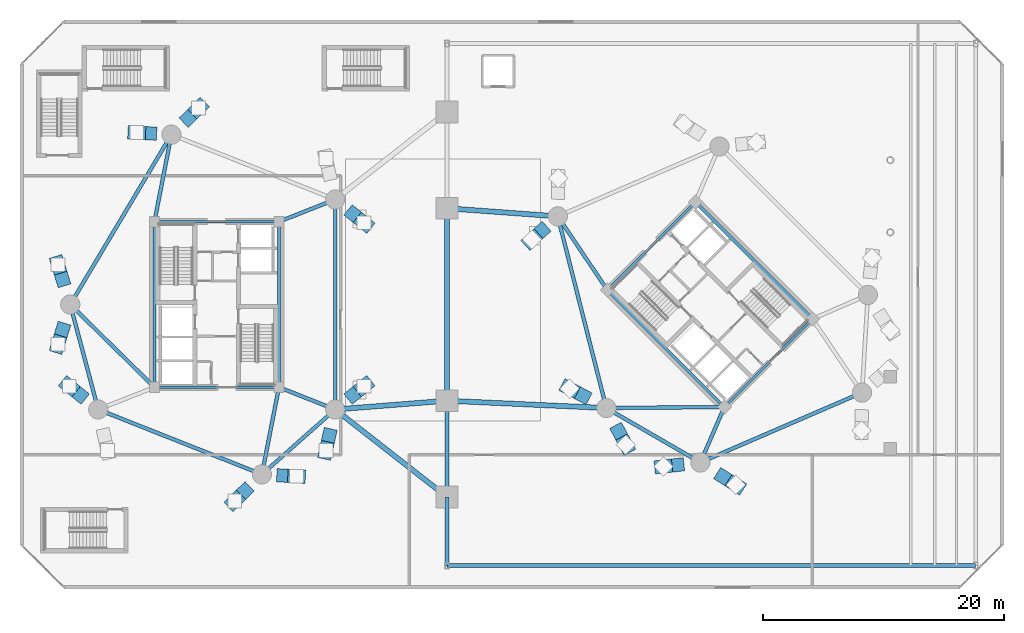
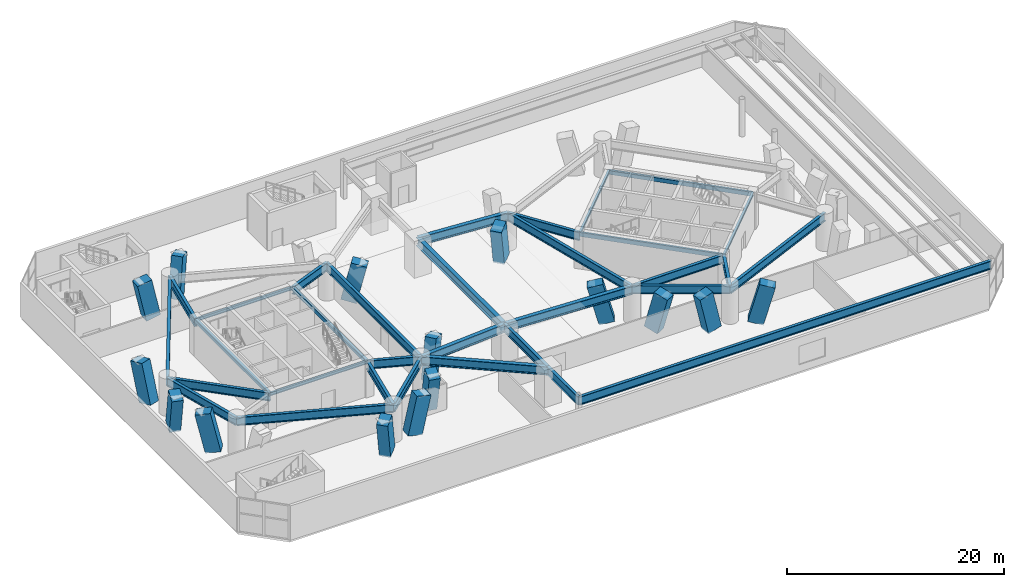
# One storey, part 4 of 20: 32 beams, 15 members.
"""IFC4 building model written with IfcOpenShell, lengths in metres."""

from ifc_helpers import new_model, si_unit, direction, frame, origin, origin_2d, place, context, subcontext, project, spatial, rectangle, hollow_rectangle, i_section, extrude, material, material_profile, profile_set, type_object, element, save


model = new_model("IFC4")

# Units and contexts
model_context = context("Model", 3, precision=1e-05, world=origin(), true_north=direction((0.0, 1.0)))
body_context = subcontext(model_context, "Body", "Model", "MODEL_VIEW")
ifc_project = project(units=[si_unit("LENGTHUNIT", "METRE"), si_unit("AREAUNIT", "SQUARE_METRE"), si_unit("VOLUMEUNIT", "CUBIC_METRE"), si_unit("PLANEANGLEUNIT", "RADIAN"), si_unit("MASSUNIT", "GRAM", prefix="KILO")], contexts=[model_context])

# Site, building, storey
site_placement = place(None, origin())
site = spatial("IfcSite", under=ifc_project, at=site_placement, CompositionType="ELEMENT")
building_placement = place(site_placement, origin())
building = spatial("IfcBuilding", under=site, at=building_placement, Name="Cununo Teusaquillo Station Towers", CompositionType="ELEMENT")
storey_placement = place(building_placement, frame((0.0, 0.0, 9.0)))
storey = spatial("IfcBuildingStorey", under=building, at=storey_placement, Name="L02", CompositionType="ELEMENT", Elevation=9.0)

# Beams
ifc_material_1 = material(Name="Steel EN 10025-2 S355J2", Category="steel")
ifc_material_profile_1 = material_profile(ifc_material_1, hollow_rectangle(XDim=0.25, YDim=0.449951171875, WallThickness=0.01611328125, at=origin_2d()), Name="RHS 450x250x16")
ifc_profile_set_1 = profile_set([ifc_material_profile_1], Name="Steel EN 10025-2 S355J2")
beam_type_1 = type_object("IfcBeamType", Name="BM-COUP-1", PredefinedType="USERDEFINED", material=ifc_profile_set_1)
for number, where, z_axis, x_axis, name in (
    (1, (11.324951171875, 17.6201171875, 3.675048828125), (0.0, 1.0, 0.0), (-1.0, 0.0, 0.0), "L02 Tower A Core Beam 1"),
    (2, (21.675048828125, 17.6201171875, 3.675048828125), (0.0, 1.0, 0.0), (-1.0, 0.0, 0.0), "L02 Tower A Core Beam 2"),
):
    element("IfcBeam", number, at=place(storey_placement, frame(where, z_axis=z_axis, x_axis=x_axis)), inside=storey, type_object=beam_type_1, Name=name, ObjectType="COUPLING BEAM", PredefinedType="USERDEFINED", context=body_context, shape_type="SweptSolid", body=[
        extrude(hollow_rectangle(XDim=0.25, YDim=0.449951171875, WallThickness=0.01611328125, at=origin_2d()), origin(), (0.0, 0.0, 1.0), 13.759765625),
    ])
for number, where, z_axis, x_axis, name in (
    (3, (58.70556640625, 15.975830078125, 3.675048828125), (-0.707106781187, 0.707106781187, 0.0), (-0.707106781187, -0.707106781187, 0.0), "L02 Tower B Core Beam 1"),
    (4, (66.024169921875, 23.29443359375, 3.675048828125), (-0.707106781187, 0.707106781187, 0.0), (-0.707106781187, -0.707106781187, 0.0), "L02 Tower B Core Beam 2"),
):
    element("IfcBeam", number, at=place(storey_placement, frame(where, z_axis=z_axis, x_axis=x_axis)), inside=storey, type_object=beam_type_1, Name=name, ObjectType="COUPLING BEAM", PredefinedType="USERDEFINED", context=body_context, shape_type="SweptSolid", body=[
        extrude(hollow_rectangle(XDim=0.25, YDim=0.449951171875, WallThickness=0.01611328125, at=origin_2d()), origin(), (0.0, 0.0, 1.0), 13.760009765625),
    ])
ifc_material_2 = material(Name="Steel ASTM A572 Grade 50", Category="steel")
ifc_material_profile_2 = material_profile(ifc_material_2, i_section(OverallWidth=0.2041015625, OverallDepth=0.35009765625, WebThickness=0.008544921875, FlangeThickness=0.01513671875, FilletRadius=0.011962890625, at=origin_2d()), Name="W14X48")
ifc_profile_set_2 = profile_set([ifc_material_profile_2], Name="Steel ASTM A572 Grade 50")
beam_type_2 = type_object("IfcBeamType", Name="BM-LINTEL-1", PredefinedType="LINTEL", material=ifc_profile_set_2)
for number, where, z_axis, x_axis, name in (
    (5, (11.324951171875, 17.6201171875, 3.72509765625), (1.0, 0.0, 0.0), (0.0, 1.0, 0.0), "L02 Tower A Core Beam 3"),
    (6, (11.324951171875, 31.3798828125, 3.72509765625), (1.0, 0.0, 0.0), (0.0, 1.0, 0.0), "L02 Tower A Core Beam 4"),
    (7, (58.70556640625, 15.975830078125, 3.72509765625), (0.707106781187, 0.707106781187, 0.0), (-0.707106781187, 0.707106781187, 0.0), "L02 Tower B Core Beam 3"),
    (8, (48.975830078125, 25.70556640625, 3.72509765625), (0.707106781187, 0.707106781187, 0.0), (-0.707106781187, 0.707106781187, 0.0), "L02 Tower B Core Beam 4"),
):
    element("IfcBeam", number, at=place(storey_placement, frame(where, z_axis=z_axis, x_axis=x_axis)), inside=storey, type_object=beam_type_2, Name=name, PredefinedType="LINTEL", context=body_context, shape_type="SweptSolid", body=[
        extrude(i_section(OverallWidth=0.2041015625, OverallDepth=0.35009765625, WebThickness=0.008544921875, FlangeThickness=0.01513671875, FilletRadius=0.011962890625, at=origin_2d()), origin(), (0.0, 0.0, 1.0), 10.35009765625),
    ])
ifc_material_3 = material(Name="Steel ASTM A572 Grade 50", Category="steel")
ifc_material_profile_3 = material_profile(ifc_material_3, i_section(OverallWidth=0.30810546875, OverallDepth=0.943115234375, WebThickness=0.022216796875, FlangeThickness=0.039794921875, FilletRadius=0.02392578125, at=origin_2d()), Name="W36X232")
ifc_profile_set_3 = profile_set([ifc_material_profile_3], Name="Steel ASTM A572 Grade 50")
beam_type_3 = type_object("IfcBeamType", Name="BM-POD-SEC", PredefinedType="BEAM", material=ifc_profile_set_3)
beam_1_placement = place(storey_placement, frame((12.738525390625, 38.623291015625, 3.428466796875), z_axis=(-0.511660099054, -0.859187955593, 0.0), x_axis=(0.859187955593, -0.511660099054, 0.0)))
element("IfcBeam", 9, at=beam_1_placement, inside=storey, type_object=beam_type_3, Name="L02 Tower A Podium Perimeter Girder 2", PredefinedType="BEAM", context=body_context, shape_type="SweptSolid", body=[
    extrude(i_section(OverallWidth=0.30810546875, OverallDepth=0.943115234375, WebThickness=0.022216796875, FlangeThickness=0.039794921875, FilletRadius=0.02392578125, at=origin_2d()), origin(), (0.0, 0.0, 1.0), 16.43798828125),
])
beam_2_placement = place(storey_placement, frame((4.327880859375, 24.5, 3.428466796875), z_axis=(0.257363196347, -0.966314744359, 0.0), x_axis=(0.966314744359, 0.257363196347, 0.0)))
element("IfcBeam", 10, at=beam_2_placement, inside=storey, type_object=beam_type_3, Name="L02 Tower A Podium Perimeter Girder 3", PredefinedType="BEAM", context=body_context, shape_type="SweptSolid", body=[
    extrude(i_section(OverallWidth=0.30810546875, OverallDepth=0.943115234375, WebThickness=0.022216796875, FlangeThickness=0.039794921875, FilletRadius=0.02392578125, at=origin_2d()), origin(), (0.0, 0.0, 1.0), 9.03271484375),
])
beam_3_placement = place(storey_placement, frame((6.652587890625, 15.771484375, 3.428466796875), z_axis=(0.929621249939, -0.368516392664, 0.0), x_axis=(0.368516392664, 0.929621249939, 0.0)))
element("IfcBeam", 11, at=beam_3_placement, inside=storey, type_object=beam_type_3, Name="L02 Tower A Podium Perimeter Girder 4", PredefinedType="BEAM", context=body_context, shape_type="SweptSolid", body=[
    extrude(i_section(OverallWidth=0.30810546875, OverallDepth=0.943115234375, WebThickness=0.022216796875, FlangeThickness=0.039794921875, FilletRadius=0.02392578125, at=origin_2d()), origin(), (0.0, 0.0, 1.0), 14.63916015625),
])
beam_4_placement = place(storey_placement, frame((20.261474609375, 10.376708984375, 3.428466796875), z_axis=(0.74832120039, 0.66333655187, 0.0), x_axis=(-0.66333655187, 0.74832120039, 0.0)))
element("IfcBeam", 12, at=beam_4_placement, inside=storey, type_object=beam_type_3, Name="L02 Tower A Podium Perimeter Girder 5", PredefinedType="BEAM", context=body_context, shape_type="SweptSolid", body=[
    extrude(i_section(OverallWidth=0.30810546875, OverallDepth=0.943115234375, WebThickness=0.022216796875, FlangeThickness=0.039794921875, FilletRadius=0.02392578125, at=origin_2d()), origin(), (0.0, 0.0, 1.0), 8.1328125),
])
beam_5_placement = place(storey_placement, frame((26.347412109375, 15.771484375, 3.428466796875), z_axis=(0.0, 1.0, 0.0), x_axis=(-1.0, 0.0, 0.0)))
element("IfcBeam", 13, at=beam_5_placement, inside=storey, type_object=beam_type_3, Name="L02 Tower A Podium Perimeter Girder 6", PredefinedType="BEAM", context=body_context, shape_type="SweptSolid", body=[
    extrude(i_section(OverallWidth=0.30810546875, OverallDepth=0.943115234375, WebThickness=0.022216796875, FlangeThickness=0.039794921875, FilletRadius=0.02392578125, at=origin_2d()), origin(), (0.0, 0.0, 1.0), 17.45703125),
])
beam_6_placement = place(storey_placement, frame((21.675048828125, 31.3798828125, 3.428466796875), z_axis=(0.929864104313, 0.367903176814, 0.0), x_axis=(-0.367903176814, 0.929864104313, 0.0)))
element("IfcBeam", 14, at=beam_6_placement, inside=storey, type_object=beam_type_3, Name="L02 Tower A Podium Radial Girder 1", PredefinedType="BEAM", context=body_context, shape_type="SweptSolid", body=[
    extrude(i_section(OverallWidth=0.30810546875, OverallDepth=0.943115234375, WebThickness=0.022216796875, FlangeThickness=0.039794921875, FilletRadius=0.02392578125, at=origin_2d()), origin(), (0.0, 0.0, 1.0), 5.02490234375),
])
beam_7_placement = place(storey_placement, frame((11.324951171875, 31.3798828125, 3.428466796875), z_axis=(0.191539895403, 0.981484828446, 0.0), x_axis=(-0.981484828446, 0.191539895403, 0.0)))
element("IfcBeam", 15, at=beam_7_placement, inside=storey, type_object=beam_type_3, Name="L02 Tower A Podium Radial Girder 2", PredefinedType="BEAM", context=body_context, shape_type="SweptSolid", body=[
    extrude(i_section(OverallWidth=0.30810546875, OverallDepth=0.943115234375, WebThickness=0.022216796875, FlangeThickness=0.039794921875, FilletRadius=0.02392578125, at=origin_2d()), origin(), (0.0, 0.0, 1.0), 7.380126953125),
])
beam_8_placement = place(storey_placement, frame((11.324951171875, 17.6201171875, 3.428466796875), z_axis=(-0.713052701438, 0.701110437073, 0.0), x_axis=(-0.701110437073, -0.713052701438, 0.0)))
element("IfcBeam", 16, at=beam_8_placement, inside=storey, type_object=beam_type_3, Name="L02 Tower A Podium Radial Girder 3", PredefinedType="BEAM", context=body_context, shape_type="SweptSolid", body=[
    extrude(i_section(OverallWidth=0.30810546875, OverallDepth=0.943115234375, WebThickness=0.022216796875, FlangeThickness=0.039794921875, FilletRadius=0.02392578125, at=origin_2d()), origin(), (0.0, 0.0, 1.0), 9.812744140625),
])
beam_9_placement = place(storey_placement, frame((21.675048828125, 17.6201171875, 3.428466796875), z_axis=(-0.191539895403, -0.981484828446, 0.0), x_axis=(0.981484828446, -0.191539895403, 0.0)))
element("IfcBeam", 17, at=beam_9_placement, inside=storey, type_object=beam_type_3, Name="L02 Tower A Podium Radial Girder 5", PredefinedType="BEAM", context=body_context, shape_type="SweptSolid", body=[
    extrude(i_section(OverallWidth=0.30810546875, OverallDepth=0.943115234375, WebThickness=0.022216796875, FlangeThickness=0.039794921875, FilletRadius=0.02392578125, at=origin_2d()), origin(), (0.0, 0.0, 1.0), 7.380126953125),
])
beam_10_placement = place(storey_placement, frame((21.675048828125, 17.6201171875, 3.428466796875), z_axis=(0.929864104313, -0.367903176814, 0.0), x_axis=(0.367903176814, 0.929864104313, 0.0)))
element("IfcBeam", 18, at=beam_10_placement, inside=storey, type_object=beam_type_3, Name="L02 Tower A Podium Radial Girder 6", PredefinedType="BEAM", context=body_context, shape_type="SweptSolid", body=[
    extrude(i_section(OverallWidth=0.30810546875, OverallDepth=0.943115234375, WebThickness=0.022216796875, FlangeThickness=0.039794921875, FilletRadius=0.02392578125, at=origin_2d()), origin(), (0.0, 0.0, 1.0), 5.02490234375),
])
beam_11_placement = place(storey_placement, frame((44.853759765625, 31.826904296875, 3.428466796875), z_axis=(0.245731928557, -0.969337825161, 0.0), x_axis=(0.969337825161, 0.245731928557, 0.0)))
element("IfcBeam", 19, at=beam_11_placement, inside=storey, type_object=beam_type_3, Name="L02 Tower B Podium Perimeter Girder 2", PredefinedType="BEAM", context=body_context, shape_type="SweptSolid", body=[
    extrude(i_section(OverallWidth=0.30810546875, OverallDepth=0.943115234375, WebThickness=0.022216796875, FlangeThickness=0.039794921875, FilletRadius=0.02392578125, at=origin_2d()), origin(), (0.0, 0.0, 1.0), 16.437744140625),
])
beam_12_placement = place(storey_placement, frame((48.89306640625, 15.89306640625, 3.428466796875), z_axis=(0.865267103202, -0.501311121078, 0.0), x_axis=(0.501311121078, 0.865267103202, 0.0)))
element("IfcBeam", 20, at=beam_12_placement, inside=storey, type_object=beam_type_3, Name="L02 Tower B Podium Perimeter Girder 3", PredefinedType="BEAM", context=body_context, shape_type="SweptSolid", body=[
    extrude(i_section(OverallWidth=0.30810546875, OverallDepth=0.943115234375, WebThickness=0.022216796875, FlangeThickness=0.039794921875, FilletRadius=0.02392578125, at=origin_2d()), origin(), (0.0, 0.0, 1.0), 9.032958984375),
])
beam_13_placement = place(storey_placement, frame((56.708984375, 11.36474609375, 3.428466796875), z_axis=(0.917915648818, 0.396775580971, 0.0), x_axis=(-0.396775580971, 0.917915648818, 0.0)))
element("IfcBeam", 21, at=beam_13_placement, inside=storey, type_object=beam_type_3, Name="L02 Tower B Podium Perimeter Girder 4", PredefinedType="BEAM", context=body_context, shape_type="SweptSolid", body=[
    extrude(i_section(OverallWidth=0.30810546875, OverallDepth=0.943115234375, WebThickness=0.022216796875, FlangeThickness=0.039794921875, FilletRadius=0.02392578125, at=origin_2d()), origin(), (0.0, 0.0, 1.0), 14.638916015625),
])
beam_14_placement = place(storey_placement, frame((48.975830078125, 25.70556640625, 3.428466796875), z_axis=(-0.558557182486, 0.829466017323, 0.0), x_axis=(-0.829466017323, -0.558557182486, 0.0)))
element("IfcBeam", 22, at=beam_14_placement, inside=storey, type_object=beam_type_3, Name="L02 Tower B Podium Radial Girder 2", PredefinedType="BEAM", context=body_context, shape_type="SweptSolid", body=[
    extrude(i_section(OverallWidth=0.30810546875, OverallDepth=0.943115234375, WebThickness=0.022216796875, FlangeThickness=0.039794921875, FilletRadius=0.02392578125, at=origin_2d()), origin(), (0.0, 0.0, 1.0), 7.3798828125),
])
beam_15_placement = place(storey_placement, frame((58.70556640625, 15.975830078125, 3.428466796875), z_axis=(-0.999964431382, -0.008434214327, 0.0), x_axis=(0.008434214327, -0.999964431382, 0.0)))
element("IfcBeam", 23, at=beam_15_placement, inside=storey, type_object=beam_type_3, Name="L02 Tower B Podium Radial Girder 3", PredefinedType="BEAM", context=body_context, shape_type="SweptSolid", body=[
    extrude(i_section(OverallWidth=0.30810546875, OverallDepth=0.943115234375, WebThickness=0.022216796875, FlangeThickness=0.039794921875, FilletRadius=0.02392578125, at=origin_2d()), origin(), (0.0, 0.0, 1.0), 9.812744140625),
])
beam_16_placement = place(storey_placement, frame((58.70556640625, 15.975830078125, 3.428466796875), z_axis=(-0.397346986387, -0.917668443616, 0.0), x_axis=(0.917668443616, -0.397346986387, 0.0)))
element("IfcBeam", 24, at=beam_16_placement, inside=storey, type_object=beam_type_3, Name="L02 Tower B Podium Radial Girder 4", PredefinedType="BEAM", context=body_context, shape_type="SweptSolid", body=[
    extrude(i_section(OverallWidth=0.30810546875, OverallDepth=0.943115234375, WebThickness=0.022216796875, FlangeThickness=0.039794921875, FilletRadius=0.02392578125, at=origin_2d()), origin(), (0.0, 0.0, 1.0), 5.02490234375),
])
beam_17_placement = place(storey_placement, frame((35.64990234375, 2.800048828125, 3.428466796875), z_axis=(0.0, 1.0, 0.0), x_axis=(-1.0, 0.0, 0.0)))
element("IfcBeam", 25, at=beam_17_placement, inside=storey, type_object=beam_type_3, Name="L02 Station Podium Girder NS-1", PredefinedType="BEAM", context=body_context, shape_type="SweptSolid", body=[
    extrude(i_section(OverallWidth=0.30810546875, OverallDepth=0.943115234375, WebThickness=0.022216796875, FlangeThickness=0.039794921875, FilletRadius=0.02392578125, at=origin_2d()), origin(), (0.0, 0.0, 1.0), 5.699951171875),
])
beam_18_placement = place(storey_placement, frame((35.64990234375, 8.5, 3.428466796875), z_axis=(0.0, 1.0, 0.0), x_axis=(-1.0, 0.0, 0.0)))
element("IfcBeam", 26, at=beam_18_placement, inside=storey, type_object=beam_type_3, Name="L02 Station Podium Girder NS-2", PredefinedType="BEAM", context=body_context, shape_type="SweptSolid", body=[
    extrude(i_section(OverallWidth=0.30810546875, OverallDepth=0.943115234375, WebThickness=0.022216796875, FlangeThickness=0.039794921875, FilletRadius=0.02392578125, at=origin_2d()), origin(), (0.0, 0.0, 1.0), 8.0),
])
beam_19_placement = place(storey_placement, frame((35.64990234375, 2.800048828125, 3.428466796875), z_axis=(1.0, 0.0, 0.0), x_axis=(0.0, 1.0, 0.0)))
element("IfcBeam", 27, at=beam_19_placement, inside=storey, type_object=beam_type_3, Name="L02 Station Podium Girder CAN-S", PredefinedType="BEAM", context=body_context, shape_type="SweptSolid", body=[
    extrude(i_section(OverallWidth=0.30810546875, OverallDepth=0.943115234375, WebThickness=0.022216796875, FlangeThickness=0.039794921875, FilletRadius=0.02392578125, at=origin_2d()), origin(), (0.0, 0.0, 1.0), 43.9501953125),
])
ifc_material_4 = material(Name="Steel ASTM A572 Grade 50", Category="steel")
ifc_material_profile_4 = material_profile(ifc_material_4, i_section(OverallWidth=0.423095703125, OverallDepth=0.947998046875, WebThickness=0.02392578125, FlangeThickness=0.042724609375, FilletRadius=0.02392578125, at=origin_2d()), Name="W36X302")
ifc_profile_set_4 = profile_set([ifc_material_profile_4], Name="Steel ASTM A572 Grade 50")
beam_type_4 = type_object("IfcBeamType", Name="BM-POD-SPAN", PredefinedType="BEAM", material=ifc_profile_set_4)
beam_20_placement = place(storey_placement, frame((35.64990234375, 16.5, 3.426025390625), z_axis=(0.0, 1.0, 0.0), x_axis=(-1.0, 0.0, 0.0)))
element("IfcBeam", 28, at=beam_20_placement, inside=storey, type_object=beam_type_4, Name="L02 Station Podium Girder NS-HALL", PredefinedType="BEAM", context=body_context, shape_type="SweptSolid", body=[
    extrude(i_section(OverallWidth=0.423095703125, OverallDepth=0.947998046875, WebThickness=0.02392578125, FlangeThickness=0.042724609375, FilletRadius=0.02392578125, at=origin_2d()), origin(), (0.0, 0.0, 1.0), 16.0),
])
beam_21_placement = place(storey_placement, frame((26.347412109375, 15.771484375, 3.426025390625), z_axis=(0.787863531103, -0.615849865112, 0.0), x_axis=(0.615849865112, 0.787863531103, 0.0)))
element("IfcBeam", 29, at=beam_21_placement, inside=storey, type_object=beam_type_4, Name="L02 Station Podium Girder EW-S", PredefinedType="BEAM", context=body_context, shape_type="SweptSolid", body=[
    extrude(i_section(OverallWidth=0.423095703125, OverallDepth=0.947998046875, WebThickness=0.02392578125, FlangeThickness=0.042724609375, FilletRadius=0.02392578125, at=origin_2d()), origin(), (0.0, 0.0, 1.0), 11.80712890625),
])
beam_22_placement = place(storey_placement, frame((26.347412109375, 15.771484375, 3.426025390625), z_axis=(0.996947489132, 0.078074989045, 0.0), x_axis=(-0.078074989045, 0.996947489132, 0.0)))
element("IfcBeam", 30, at=beam_22_placement, inside=storey, type_object=beam_type_4, Name="L02 Station Podium Girder EW-M1", PredefinedType="BEAM", context=body_context, shape_type="SweptSolid", body=[
    extrude(i_section(OverallWidth=0.423095703125, OverallDepth=0.947998046875, WebThickness=0.02392578125, FlangeThickness=0.042724609375, FilletRadius=0.02392578125, at=origin_2d()), origin(), (0.0, 0.0, 1.0), 9.3310546875),
])
beam_23_placement = place(storey_placement, frame((35.64990234375, 32.5, 3.426025390625), z_axis=(0.997336540567, -0.072937129429, 0.0), x_axis=(0.072937129429, 0.997336540567, 0.0)))
element("IfcBeam", 31, at=beam_23_placement, inside=storey, type_object=beam_type_4, Name="L02 Station Podium Girder EW-M2", PredefinedType="BEAM", context=body_context, shape_type="SweptSolid", body=[
    extrude(i_section(OverallWidth=0.423095703125, OverallDepth=0.947998046875, WebThickness=0.02392578125, FlangeThickness=0.042724609375, FilletRadius=0.02392578125, at=origin_2d()), origin(), (0.0, 0.0, 1.0), 9.228515625),
])
beam_24_placement = place(storey_placement, frame((35.64990234375, 16.5, 3.426025390625), z_axis=(0.998951459145, -0.045781898965, 0.0), x_axis=(0.045781898965, 0.998951459145, 0.0)))
element("IfcBeam", 32, at=beam_24_placement, inside=storey, type_object=beam_type_4, Name="L02 Station Podium Girder EW-M3", PredefinedType="BEAM", context=body_context, shape_type="SweptSolid", body=[
    extrude(i_section(OverallWidth=0.423095703125, OverallDepth=0.947998046875, WebThickness=0.02392578125, FlangeThickness=0.042724609375, FilletRadius=0.02392578125, at=origin_2d()), origin(), (0.0, 0.0, 1.0), 13.257080078125),
])

# Members
ifc_material_5 = material(Name="Concrete C60/75", Category="concrete")
ifc_material_profile_5 = material_profile(ifc_material_5, rectangle(XDim=1.10009765625, YDim=1.5, at=origin_2d()), Name="RC-RECT-1500x1100")
ifc_profile_set_5 = profile_set([ifc_material_profile_5], Name="Concrete C60/75")
member_type = type_object("IfcMemberType", Name="MBR-VFOOT", PredefinedType="USERDEFINED", material=ifc_profile_set_5)
member_1_placement = place(storey_placement, frame((27.988037109375, 31.90673828125, 0.0), z_axis=(0.177494556826, -0.1430257478, 0.973673106213), x_axis=(0.627446649837, 0.778659554368, 0.0)))
element("IfcMember", 33, at=member_1_placement, inside=storey, type_object=member_type, Name="L02 Tower A Sloping Concrete V-Foot V02L", ObjectType="V FOOT STRUT", PredefinedType="USERDEFINED", context=body_context, shape_type="SweptSolid", body=[
    extrude(rectangle(XDim=1.10009765625, YDim=1.5, at=origin_2d()), origin(), (0.0, 0.0, 1.0), 4.3134765625),
])
member_2_placement = place(storey_placement, frame((14.27734375, 40.123291015625, 0.0), z_axis=(0.166284993933, 0.162101012446, 0.972662614968), x_axis=(-0.698040844894, 0.716057943786, 0.0)))
element("IfcMember", 34, at=member_2_placement, inside=storey, type_object=member_type, Name="L02 Tower A Sloping Concrete V-Foot V06L", ObjectType="V FOOT STRUT", PredefinedType="USERDEFINED", context=body_context, shape_type="SweptSolid", body=[
    extrude(rectangle(XDim=1.10009765625, YDim=1.5, at=origin_2d()), origin(), (0.0, 0.0, 1.0), 4.318115234375),
])
member_3_placement = place(storey_placement, frame((10.773681640625, 38.7333984375, 0.0), z_axis=(-0.213293838642, 0.011925374365, 0.976915310477), x_axis=(-0.055823359612, -0.998440660491, 0.0)))
element("IfcMember", 35, at=member_3_placement, inside=storey, type_object=member_type, Name="L02 Tower A Sloping Concrete V-Foot V06R", ObjectType="V FOOT STRUT", PredefinedType="USERDEFINED", context=body_context, shape_type="SweptSolid", body=[
    extrude(rectangle(XDim=1.10009765625, YDim=1.5, at=origin_2d()), origin(), (0.0, 0.0, 1.0), 4.29931640625),
])
for number, where, z_axis, x_axis, name in (
    (36, (3.63818359375, 26.748779296875, 0.0), (-0.074124326073, 0.241775779808, 0.967496799262), (-0.956076647282, -0.293116776254, 0.0), "L02 Tower A Sloping Concrete V-Foot V10L"),
    (37, (3.63818359375, 22.251220703125, 0.0), (-0.074124326073, -0.241775779808, 0.967496799262), (0.956076647282, -0.293116776254, 0.0), "L02 Tower A Sloping Concrete V-Foot V10R"),
):
    element("IfcMember", number, at=place(storey_placement, frame(where, z_axis=z_axis, x_axis=x_axis)), inside=storey, type_object=member_type, Name=name, ObjectType="V FOOT STRUT", PredefinedType="USERDEFINED", context=body_context, shape_type="SweptSolid", body=[
        extrude(rectangle(XDim=1.10009765625, YDim=1.5, at=origin_2d()), origin(), (0.0, 0.0, 1.0), 4.341064453125),
    ])
member_4_placement = place(storey_placement, frame((5.011962890625, 17.09326171875, 0.0), z_axis=(-0.177494556826, 0.1430257478, 0.973673106213), x_axis=(-0.627446649837, -0.778659554368, 0.0)))
element("IfcMember", 38, at=member_4_placement, inside=storey, type_object=member_type, Name="L02 Tower A Sloping Concrete V-Foot V12L", ObjectType="V FOOT STRUT", PredefinedType="USERDEFINED", context=body_context, shape_type="SweptSolid", body=[
    extrude(rectangle(XDim=1.10009765625, YDim=1.5, at=origin_2d()), origin(), (0.0, 0.0, 1.0), 4.3134765625),
])
member_5_placement = place(storey_placement, frame((18.72265625, 8.876708984375, 0.0), z_axis=(-0.166284993933, -0.162101012446, 0.972662614968), x_axis=(0.698040844894, -0.716057943786, 0.0)))
element("IfcMember", 39, at=member_5_placement, inside=storey, type_object=member_type, Name="L02 Tower A Sloping Concrete V-Foot V16L", ObjectType="V FOOT STRUT", PredefinedType="USERDEFINED", context=body_context, shape_type="SweptSolid", body=[
    extrude(rectangle(XDim=1.10009765625, YDim=1.5, at=origin_2d()), origin(), (0.0, 0.0, 1.0), 4.318115234375),
])
member_6_placement = place(storey_placement, frame((22.226318359375, 10.2666015625, 0.0), z_axis=(0.213293838642, -0.011925374365, 0.976915310477), x_axis=(0.055823359612, 0.998440660491, 0.0)))
element("IfcMember", 40, at=member_6_placement, inside=storey, type_object=member_type, Name="L02 Tower A Sloping Concrete V-Foot V16R", ObjectType="V FOOT STRUT", PredefinedType="USERDEFINED", context=body_context, shape_type="SweptSolid", body=[
    extrude(rectangle(XDim=1.10009765625, YDim=1.5, at=origin_2d()), origin(), (0.0, 0.0, 1.0), 4.29931640625),
])
member_7_placement = place(storey_placement, frame((25.822509765625, 13.454345703125, 0.0), z_axis=(-0.056372761122, -0.248928174485, 0.966879969671), x_axis=(0.975303454617, -0.220869127338, 0.0)))
element("IfcMember", 41, at=member_7_placement, inside=storey, type_object=member_type, Name="L02 Tower A Sloping Concrete V-Foot V18L", ObjectType="V FOOT STRUT", PredefinedType="USERDEFINED", context=body_context, shape_type="SweptSolid", body=[
    extrude(rectangle(XDim=1.10009765625, YDim=1.5, at=origin_2d()), origin(), (0.0, 0.0, 1.0), 4.34375),
])
member_8_placement = place(storey_placement, frame((27.988037109375, 17.09326171875, 0.0), z_axis=(0.177494556826, 0.1430257478, 0.973673106213), x_axis=(-0.627446649837, 0.778659554368, 0.0)))
element("IfcMember", 42, at=member_8_placement, inside=storey, type_object=member_type, Name="L02 Tower A Sloping Concrete V-Foot V18R", ObjectType="V FOOT STRUT", PredefinedType="USERDEFINED", context=body_context, shape_type="SweptSolid", body=[
    extrude(rectangle(XDim=1.10009765625, YDim=1.5, at=origin_2d()), origin(), (0.0, 0.0, 1.0), 4.3134765625),
])
member_9_placement = place(storey_placement, frame((43.386474609375, 30.515380859375, 0.0), z_axis=(-0.159288559684, -0.142365924823, 0.976913045364), x_axis=(0.666390727208, -0.745602708344, 0.0)))
element("IfcMember", 43, at=member_9_placement, inside=storey, type_object=member_type, Name="L02 Tower B Sloping Concrete V-Foot V06R", ObjectType="V FOOT STRUT", PredefinedType="USERDEFINED", context=body_context, shape_type="SweptSolid", body=[
    extrude(rectangle(XDim=1.10009765625, YDim=1.5, at=origin_2d()), origin(), (0.0, 0.0, 1.0), 4.29931640625),
])
for number, where, z_axis, x_axis, name in (
    (44, (46.815185546875, 16.99560546875, 0.0), (-0.223384618952, 0.118553569172, 0.967493856958), (-0.468786633101, -0.883311435806, 0.0), "L02 Tower B Sloping Concrete V-Foot V10L"),
    (45, (49.99560546875, 13.815185546875, 0.0), (0.118553569172, -0.223384618952, 0.967493856958), (0.883311435806, 0.468786633101, 0.0), "L02 Tower B Sloping Concrete V-Foot V10R"),
):
    element("IfcMember", number, at=place(storey_placement, frame(where, z_axis=z_axis, x_axis=x_axis)), inside=storey, type_object=member_type, Name=name, ObjectType="V FOOT STRUT", PredefinedType="USERDEFINED", context=body_context, shape_type="SweptSolid", body=[
        extrude(rectangle(XDim=1.10009765625, YDim=1.5, at=origin_2d()), origin(), (0.0, 0.0, 1.0), 4.341064453125),
    ])
member_10_placement = place(storey_placement, frame((54.614013671875, 11.139404296875, 0.0), z_axis=(-0.226623403117, -0.024394277408, 0.97367692403), x_axis=(0.107024105803, -0.994256426068, 0.0)))
element("IfcMember", 46, at=member_10_placement, inside=storey, type_object=member_type, Name="L02 Tower B Sloping Concrete V-Foot V12L", ObjectType="V FOOT STRUT", PredefinedType="USERDEFINED", context=body_context, shape_type="SweptSolid", body=[
    extrude(rectangle(XDim=1.10009765625, YDim=1.5, at=origin_2d()), origin(), (0.0, 0.0, 1.0), 4.3134765625),
])
member_11_placement = place(storey_placement, frame((58.718505859375, 10.097412109375, 0.0), z_axis=(0.215827464603, -0.136128676893, 0.96689580041), x_axis=(0.533479089149, 0.845813254472, 0.0)))
element("IfcMember", 47, at=member_11_placement, inside=storey, type_object=member_type, Name="L02 Tower B Sloping Concrete V-Foot V12R", ObjectType="V FOOT STRUT", PredefinedType="USERDEFINED", context=body_context, shape_type="SweptSolid", body=[
    extrude(rectangle(XDim=1.10009765625, YDim=1.5, at=origin_2d()), origin(), (0.0, 0.0, 1.0), 4.34375),
])

save(model, "model.ifc")
